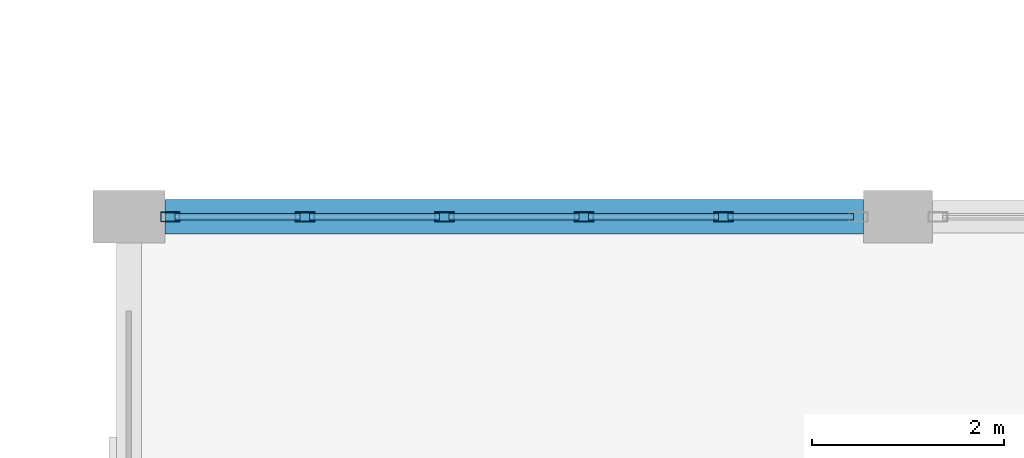
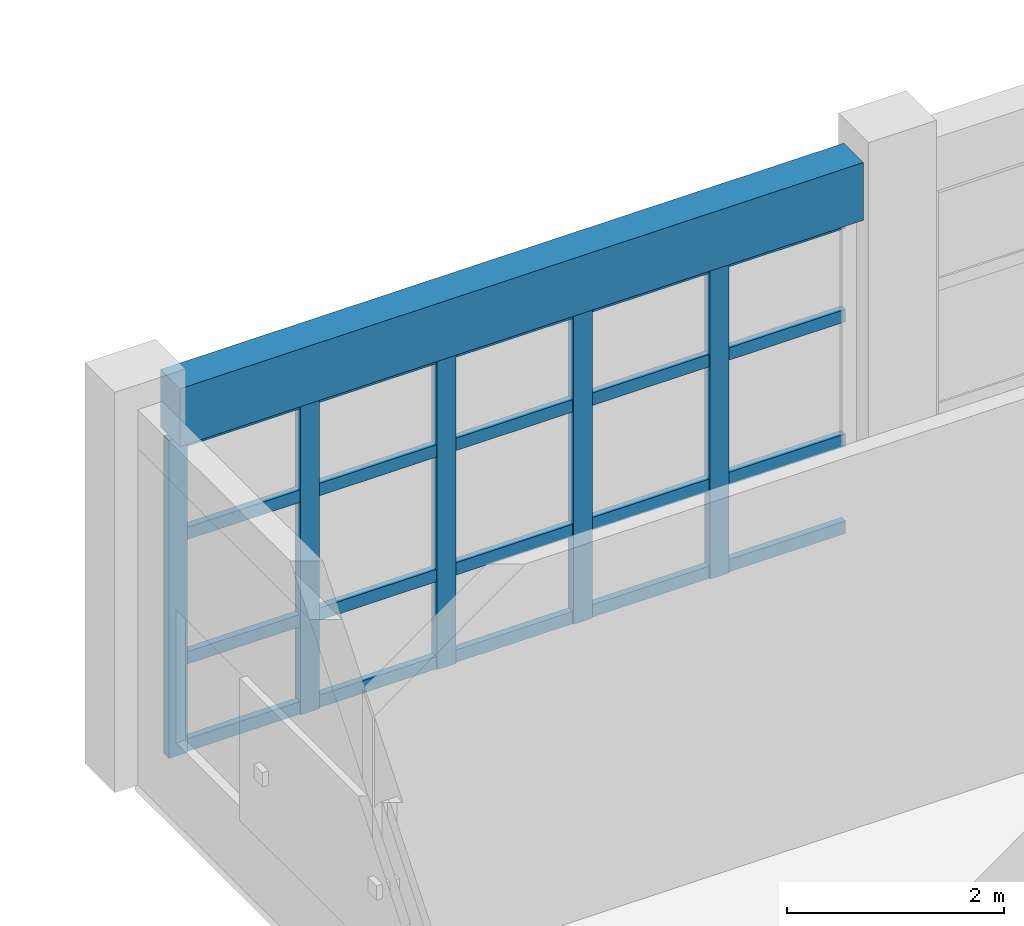
# One storey, part 61 of 160: 25 members, 1 beam, 1 element without a shape of its own.
"""IFC4 building model written with IfcOpenShell, lengths in metres."""

from ifc_helpers import new_model, si_unit, direction, frame, origin, origin_2d, place, context, subcontext, project, spatial, rectangle, hollow_rectangle, extrude, material, material_profile, profile_set, type_object, element, aggregate, save


model = new_model("IFC4")

# Units and contexts
model_context = context("Model", 3, precision=1e-05, world=origin(), true_north=direction((0.0, 1.0)))
body_context = subcontext(model_context, "Body", "Model", "MODEL_VIEW")
ifc_project = project(units=[si_unit("LENGTHUNIT", "METRE"), si_unit("AREAUNIT", "SQUARE_METRE"), si_unit("VOLUMEUNIT", "CUBIC_METRE"), si_unit("PLANEANGLEUNIT", "RADIAN"), si_unit("MASSUNIT", "GRAM", prefix="KILO")], contexts=[model_context])

# Site, building, storey
site_placement = place(None, origin())
site = spatial("IfcSite", under=ifc_project, at=site_placement, CompositionType="ELEMENT")
building_placement = place(site_placement, origin())
building = spatial("IfcBuilding", under=site, at=building_placement, Name="Kharva Crest Polytechnic", CompositionType="ELEMENT")
storey_placement = place(building_placement, frame((0.0, 0.0, 4.5)))
storey = spatial("IfcBuildingStorey", under=building, at=storey_placement, Name="L01", CompositionType="ELEMENT", Elevation=4.5)

# Curtain wall, members
ifc_material_1 = material(Name="Tempered insulated glass", Category="glass")
curtain_wall_type = type_object("IfcCurtainWallType", Name="CW-SYS-REFECTORY", PredefinedType="USERDEFINED", material=ifc_material_1)
curtain_wall_placement = place(storey_placement, origin())
curtain_wall = element("IfcCurtainWall", 1, at=curtain_wall_placement, inside=storey, type_object=curtain_wall_type, Name="L01 Glazed Curtain Wall CW-043", ObjectType="CURTAIN WALL", PredefinedType="USERDEFINED")
ifc_material_2 = material(Name="Steel S355", Category="steel")
ifc_material_profile_1 = material_profile(ifc_material_2, hollow_rectangle(XDim=0.10009765625, YDim=0.199951171875, WallThickness=0.00634765625, at=origin_2d()), Name="RHS 200X100X6.3")
ifc_profile_set_1 = profile_set([ifc_material_profile_1], Name="Steel S355")
member_type_1 = type_object("IfcMemberType", Name="CWM-RHS200X100", PredefinedType="MULLION", material=ifc_profile_set_1)
member_1_placement = place(storey_placement, frame((126.98388671875, 38.0, 0.0), z_axis=(0.0, 0.0, 1.0), x_axis=(0.0, -1.0, 0.0)))
member_1 = element("IfcMember", 2, at=member_1_placement, type_object=member_type_1, Name="CW-043 mullion 2", PredefinedType="MULLION", context=body_context, shape_type="SweptSolid", body=[
    extrude(hollow_rectangle(XDim=0.10009765625, YDim=0.199951171875, WallThickness=0.00634765625, at=origin_2d()), origin(), (0.0, 0.0, 1.0), 3.570068359375),
])
member_2_placement = place(storey_placement, frame((125.532958984375, 38.0, 0.0), z_axis=(0.0, 0.0, 1.0), x_axis=(0.0, -1.0, 0.0)))
member_2 = element("IfcMember", 3, at=member_2_placement, type_object=member_type_1, Name="CW-043 mullion 3", PredefinedType="MULLION", context=body_context, shape_type="SweptSolid", body=[
    extrude(hollow_rectangle(XDim=0.10009765625, YDim=0.199951171875, WallThickness=0.00634765625, at=origin_2d()), origin(), (0.0, 0.0, 1.0), 3.570068359375),
])
member_3_placement = place(storey_placement, frame((124.08203125, 38.0, 0.0), z_axis=(0.0, 0.0, 1.0), x_axis=(0.0, -1.0, 0.0)))
member_3 = element("IfcMember", 4, at=member_3_placement, type_object=member_type_1, Name="CW-043 mullion 4", PredefinedType="MULLION", context=body_context, shape_type="SweptSolid", body=[
    extrude(hollow_rectangle(XDim=0.10009765625, YDim=0.199951171875, WallThickness=0.00634765625, at=origin_2d()), origin(), (0.0, 0.0, 1.0), 3.570068359375),
])
member_4_placement = place(storey_placement, frame((122.631103515625, 38.0, 0.0), z_axis=(0.0, 0.0, 1.0), x_axis=(0.0, -1.0, 0.0)))
member_4 = element("IfcMember", 5, at=member_4_placement, type_object=member_type_1, Name="CW-043 mullion 5", PredefinedType="MULLION", context=body_context, shape_type="SweptSolid", body=[
    extrude(hollow_rectangle(XDim=0.10009765625, YDim=0.199951171875, WallThickness=0.00634765625, at=origin_2d()), origin(), (0.0, 0.0, 1.0), 3.570068359375),
])
member_5_placement = place(storey_placement, frame((121.22998046875, 38.0, 0.0), z_axis=(0.0, 0.0, 1.0), x_axis=(0.0, -1.0, 0.0)))
member_5 = element("IfcMember", 6, at=member_5_placement, type_object=member_type_1, Name="CW-043 mullion 6", PredefinedType="MULLION", context=body_context, shape_type="SweptSolid", body=[
    extrude(hollow_rectangle(XDim=0.10009765625, YDim=0.199951171875, WallThickness=0.00634765625, at=origin_2d()), origin(), (0.0, 0.0, 1.0), 3.570068359375),
])
ifc_material_profile_2 = material_profile(ifc_material_2, hollow_rectangle(XDim=0.070068359375, YDim=0.139892578125, WallThickness=0.00390625, at=origin_2d()), Name="RHS 140X70X4.0")
ifc_profile_set_2 = profile_set([ifc_material_profile_2], Name="Steel S355")
member_type_2 = type_object("IfcMemberType", Name="CWT-RHS140X70", PredefinedType="USERDEFINED", material=ifc_profile_set_2)
member_6_placement = place(storey_placement, frame((128.3349609375, 38.0, 0.070068359375), z_axis=(-1.0, 0.0, 0.0), x_axis=(0.0, -1.0, 0.0)))
member_6 = element("IfcMember", 7, at=member_6_placement, type_object=member_type_2, Name="CW-043 transom 1.1", ObjectType="TRANSOM", PredefinedType="USERDEFINED", context=body_context, shape_type="SweptSolid", body=[
    extrude(hollow_rectangle(XDim=0.070068359375, YDim=0.139892578125, WallThickness=0.00390625, at=origin_2d()), origin(), (0.0, 0.0, 1.0), 1.301025390625),
])
member_7_placement = place(storey_placement, frame((128.3349609375, 38.0, 1.050048828125), z_axis=(-1.0, 0.0, 0.0), x_axis=(0.0, -1.0, 0.0)))
member_7 = element("IfcMember", 8, at=member_7_placement, type_object=member_type_2, Name="CW-043 transom 1.2", ObjectType="TRANSOM", PredefinedType="USERDEFINED", context=body_context, shape_type="SweptSolid", body=[
    extrude(hollow_rectangle(XDim=0.070068359375, YDim=0.139892578125, WallThickness=0.00390625, at=origin_2d()), origin(), (0.0, 0.0, 1.0), 1.301025390625),
])
member_8_placement = place(storey_placement, frame((128.3349609375, 38.0, 2.449951171875), z_axis=(-1.0, 0.0, 0.0), x_axis=(0.0, -1.0, 0.0)))
member_8 = element("IfcMember", 9, at=member_8_placement, type_object=member_type_2, Name="CW-043 transom 1.3", ObjectType="TRANSOM", PredefinedType="USERDEFINED", context=body_context, shape_type="SweptSolid", body=[
    extrude(hollow_rectangle(XDim=0.070068359375, YDim=0.139892578125, WallThickness=0.00390625, at=origin_2d()), origin(), (0.0, 0.0, 1.0), 1.301025390625),
])
member_9_placement = place(storey_placement, frame((128.3349609375, 38.0, 3.5), z_axis=(-1.0, 0.0, 0.0), x_axis=(0.0, -1.0, 0.0)))
member_9 = element("IfcMember", 10, at=member_9_placement, type_object=member_type_2, Name="CW-043 transom 1.4", ObjectType="TRANSOM", PredefinedType="USERDEFINED", context=body_context, shape_type="SweptSolid", body=[
    extrude(hollow_rectangle(XDim=0.070068359375, YDim=0.139892578125, WallThickness=0.00390625, at=origin_2d()), origin(), (0.0, 0.0, 1.0), 1.301025390625),
])
member_10_placement = place(storey_placement, frame((126.93408203125, 38.0, 0.070068359375), z_axis=(-1.0, 0.0, 0.0), x_axis=(0.0, -1.0, 0.0)))
member_10 = element("IfcMember", 11, at=member_10_placement, type_object=member_type_2, Name="CW-043 transom 2.1", ObjectType="TRANSOM", PredefinedType="USERDEFINED", context=body_context, shape_type="SweptSolid", body=[
    extrude(hollow_rectangle(XDim=0.070068359375, YDim=0.139892578125, WallThickness=0.00390625, at=origin_2d()), origin(), (0.0, 0.0, 1.0), 1.35107421875),
])
member_11_placement = place(storey_placement, frame((126.93408203125, 38.0, 1.050048828125), z_axis=(-1.0, 0.0, 0.0), x_axis=(0.0, -1.0, 0.0)))
member_11 = element("IfcMember", 12, at=member_11_placement, type_object=member_type_2, Name="CW-043 transom 2.2", ObjectType="TRANSOM", PredefinedType="USERDEFINED", context=body_context, shape_type="SweptSolid", body=[
    extrude(hollow_rectangle(XDim=0.070068359375, YDim=0.139892578125, WallThickness=0.00390625, at=origin_2d()), origin(), (0.0, 0.0, 1.0), 1.35107421875),
])
member_12_placement = place(storey_placement, frame((126.93408203125, 38.0, 2.449951171875), z_axis=(-1.0, 0.0, 0.0), x_axis=(0.0, -1.0, 0.0)))
member_12 = element("IfcMember", 13, at=member_12_placement, type_object=member_type_2, Name="CW-043 transom 2.3", ObjectType="TRANSOM", PredefinedType="USERDEFINED", context=body_context, shape_type="SweptSolid", body=[
    extrude(hollow_rectangle(XDim=0.070068359375, YDim=0.139892578125, WallThickness=0.00390625, at=origin_2d()), origin(), (0.0, 0.0, 1.0), 1.35107421875),
])
member_13_placement = place(storey_placement, frame((126.93408203125, 38.0, 3.5), z_axis=(-1.0, 0.0, 0.0), x_axis=(0.0, -1.0, 0.0)))
member_13 = element("IfcMember", 14, at=member_13_placement, type_object=member_type_2, Name="CW-043 transom 2.4", ObjectType="TRANSOM", PredefinedType="USERDEFINED", context=body_context, shape_type="SweptSolid", body=[
    extrude(hollow_rectangle(XDim=0.070068359375, YDim=0.139892578125, WallThickness=0.00390625, at=origin_2d()), origin(), (0.0, 0.0, 1.0), 1.35107421875),
])
member_14_placement = place(storey_placement, frame((125.48291015625, 38.0, 0.070068359375), z_axis=(-1.0, 0.0, 0.0), x_axis=(0.0, -1.0, 0.0)))
member_14 = element("IfcMember", 15, at=member_14_placement, type_object=member_type_2, Name="CW-043 transom 3.1", ObjectType="TRANSOM", PredefinedType="USERDEFINED", context=body_context, shape_type="SweptSolid", body=[
    extrude(hollow_rectangle(XDim=0.070068359375, YDim=0.139892578125, WallThickness=0.00390625, at=origin_2d()), origin(), (0.0, 0.0, 1.0), 1.350830078125),
])
member_15_placement = place(storey_placement, frame((125.48291015625, 38.0, 1.050048828125), z_axis=(-1.0, 0.0, 0.0), x_axis=(0.0, -1.0, 0.0)))
member_15 = element("IfcMember", 16, at=member_15_placement, type_object=member_type_2, Name="CW-043 transom 3.2", ObjectType="TRANSOM", PredefinedType="USERDEFINED", context=body_context, shape_type="SweptSolid", body=[
    extrude(hollow_rectangle(XDim=0.070068359375, YDim=0.139892578125, WallThickness=0.00390625, at=origin_2d()), origin(), (0.0, 0.0, 1.0), 1.350830078125),
])
member_16_placement = place(storey_placement, frame((125.48291015625, 38.0, 2.449951171875), z_axis=(-1.0, 0.0, 0.0), x_axis=(0.0, -1.0, 0.0)))
member_16 = element("IfcMember", 17, at=member_16_placement, type_object=member_type_2, Name="CW-043 transom 3.3", ObjectType="TRANSOM", PredefinedType="USERDEFINED", context=body_context, shape_type="SweptSolid", body=[
    extrude(hollow_rectangle(XDim=0.070068359375, YDim=0.139892578125, WallThickness=0.00390625, at=origin_2d()), origin(), (0.0, 0.0, 1.0), 1.350830078125),
])
member_17_placement = place(storey_placement, frame((125.48291015625, 38.0, 3.5), z_axis=(-1.0, 0.0, 0.0), x_axis=(0.0, -1.0, 0.0)))
member_17 = element("IfcMember", 18, at=member_17_placement, type_object=member_type_2, Name="CW-043 transom 3.4", ObjectType="TRANSOM", PredefinedType="USERDEFINED", context=body_context, shape_type="SweptSolid", body=[
    extrude(hollow_rectangle(XDim=0.070068359375, YDim=0.139892578125, WallThickness=0.00390625, at=origin_2d()), origin(), (0.0, 0.0, 1.0), 1.350830078125),
])
member_18_placement = place(storey_placement, frame((124.031982421875, 38.0, 0.070068359375), z_axis=(-1.0, 0.0, 0.0), x_axis=(0.0, -1.0, 0.0)))
member_18 = element("IfcMember", 19, at=member_18_placement, type_object=member_type_2, Name="CW-043 transom 4.1", ObjectType="TRANSOM", PredefinedType="USERDEFINED", context=body_context, shape_type="SweptSolid", body=[
    extrude(hollow_rectangle(XDim=0.070068359375, YDim=0.139892578125, WallThickness=0.00390625, at=origin_2d()), origin(), (0.0, 0.0, 1.0), 1.35107421875),
])
member_19_placement = place(storey_placement, frame((124.031982421875, 38.0, 1.050048828125), z_axis=(-1.0, 0.0, 0.0), x_axis=(0.0, -1.0, 0.0)))
member_19 = element("IfcMember", 20, at=member_19_placement, type_object=member_type_2, Name="CW-043 transom 4.2", ObjectType="TRANSOM", PredefinedType="USERDEFINED", context=body_context, shape_type="SweptSolid", body=[
    extrude(hollow_rectangle(XDim=0.070068359375, YDim=0.139892578125, WallThickness=0.00390625, at=origin_2d()), origin(), (0.0, 0.0, 1.0), 1.35107421875),
])
member_20_placement = place(storey_placement, frame((124.031982421875, 38.0, 2.449951171875), z_axis=(-1.0, 0.0, 0.0), x_axis=(0.0, -1.0, 0.0)))
member_20 = element("IfcMember", 21, at=member_20_placement, type_object=member_type_2, Name="CW-043 transom 4.3", ObjectType="TRANSOM", PredefinedType="USERDEFINED", context=body_context, shape_type="SweptSolid", body=[
    extrude(hollow_rectangle(XDim=0.070068359375, YDim=0.139892578125, WallThickness=0.00390625, at=origin_2d()), origin(), (0.0, 0.0, 1.0), 1.35107421875),
])
member_21_placement = place(storey_placement, frame((124.031982421875, 38.0, 3.5), z_axis=(-1.0, 0.0, 0.0), x_axis=(0.0, -1.0, 0.0)))
member_21 = element("IfcMember", 22, at=member_21_placement, type_object=member_type_2, Name="CW-043 transom 4.4", ObjectType="TRANSOM", PredefinedType="USERDEFINED", context=body_context, shape_type="SweptSolid", body=[
    extrude(hollow_rectangle(XDim=0.070068359375, YDim=0.139892578125, WallThickness=0.00390625, at=origin_2d()), origin(), (0.0, 0.0, 1.0), 1.35107421875),
])
member_22_placement = place(storey_placement, frame((122.5810546875, 38.0, 0.070068359375), z_axis=(-1.0, 0.0, 0.0), x_axis=(0.0, -1.0, 0.0)))
member_22 = element("IfcMember", 23, at=member_22_placement, type_object=member_type_2, Name="CW-043 transom 5.1", ObjectType="TRANSOM", PredefinedType="USERDEFINED", context=body_context, shape_type="SweptSolid", body=[
    extrude(hollow_rectangle(XDim=0.070068359375, YDim=0.139892578125, WallThickness=0.00390625, at=origin_2d()), origin(), (0.0, 0.0, 1.0), 1.301025390625),
])
member_23_placement = place(storey_placement, frame((122.5810546875, 38.0, 1.050048828125), z_axis=(-1.0, 0.0, 0.0), x_axis=(0.0, -1.0, 0.0)))
member_23 = element("IfcMember", 24, at=member_23_placement, type_object=member_type_2, Name="CW-043 transom 5.2", ObjectType="TRANSOM", PredefinedType="USERDEFINED", context=body_context, shape_type="SweptSolid", body=[
    extrude(hollow_rectangle(XDim=0.070068359375, YDim=0.139892578125, WallThickness=0.00390625, at=origin_2d()), origin(), (0.0, 0.0, 1.0), 1.301025390625),
])
member_24_placement = place(storey_placement, frame((122.5810546875, 38.0, 2.449951171875), z_axis=(-1.0, 0.0, 0.0), x_axis=(0.0, -1.0, 0.0)))
member_24 = element("IfcMember", 25, at=member_24_placement, type_object=member_type_2, Name="CW-043 transom 5.3", ObjectType="TRANSOM", PredefinedType="USERDEFINED", context=body_context, shape_type="SweptSolid", body=[
    extrude(hollow_rectangle(XDim=0.070068359375, YDim=0.139892578125, WallThickness=0.00390625, at=origin_2d()), origin(), (0.0, 0.0, 1.0), 1.301025390625),
])
member_25_placement = place(storey_placement, frame((122.5810546875, 38.0, 3.5), z_axis=(-1.0, 0.0, 0.0), x_axis=(0.0, -1.0, 0.0)))
member_25 = element("IfcMember", 26, at=member_25_placement, type_object=member_type_2, Name="CW-043 transom 5.4", ObjectType="TRANSOM", PredefinedType="USERDEFINED", context=body_context, shape_type="SweptSolid", body=[
    extrude(hollow_rectangle(XDim=0.070068359375, YDim=0.139892578125, WallThickness=0.00390625, at=origin_2d()), origin(), (0.0, 0.0, 1.0), 1.301025390625),
])
aggregate(curtain_wall, [member_1, member_2, member_3, member_4, member_5, member_6, member_7, member_8, member_9, member_10, member_11, member_12, member_13, member_14, member_15, member_16, member_17, member_18, member_19, member_20, member_21, member_22, member_23, member_24, member_25])

# Beam
ifc_material_3 = material(Name="Concrete C35/45", Category="concrete")
ifc_material_profile_3 = material_profile(ifc_material_3, rectangle(XDim=0.360107421875, YDim=0.64990234375, at=origin_2d()), Name="RECT 360 X 650")
ifc_profile_set_3 = profile_set([ifc_material_profile_3], Name="Concrete C35/45")
beam_type = type_object("IfcBeamType", Name="SP-RC-360X650", PredefinedType="SPANDREL", material=ifc_profile_set_3)
beam_placement = place(storey_placement, frame((121.175048828125, 38.0, 3.89501953125), z_axis=(1.0, 0.0, 0.0), x_axis=(0.0, 1.0, 0.0)))
element("IfcBeam", 27, at=beam_placement, inside=storey, type_object=beam_type, Name="L01 Beam F/16J-17", PredefinedType="SPANDREL", context=body_context, shape_type="SweptSolid", body=[
    extrude(rectangle(XDim=0.360107421875, YDim=0.64990234375, at=origin_2d()), origin(), (0.0, 0.0, 1.0), 7.264892578125),
])

save(model, "model.ifc")
